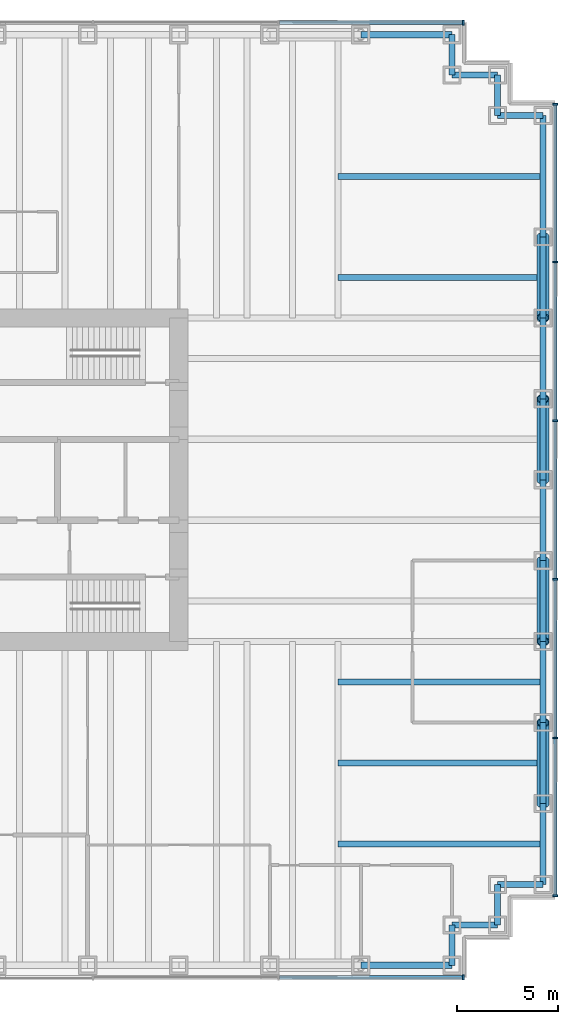
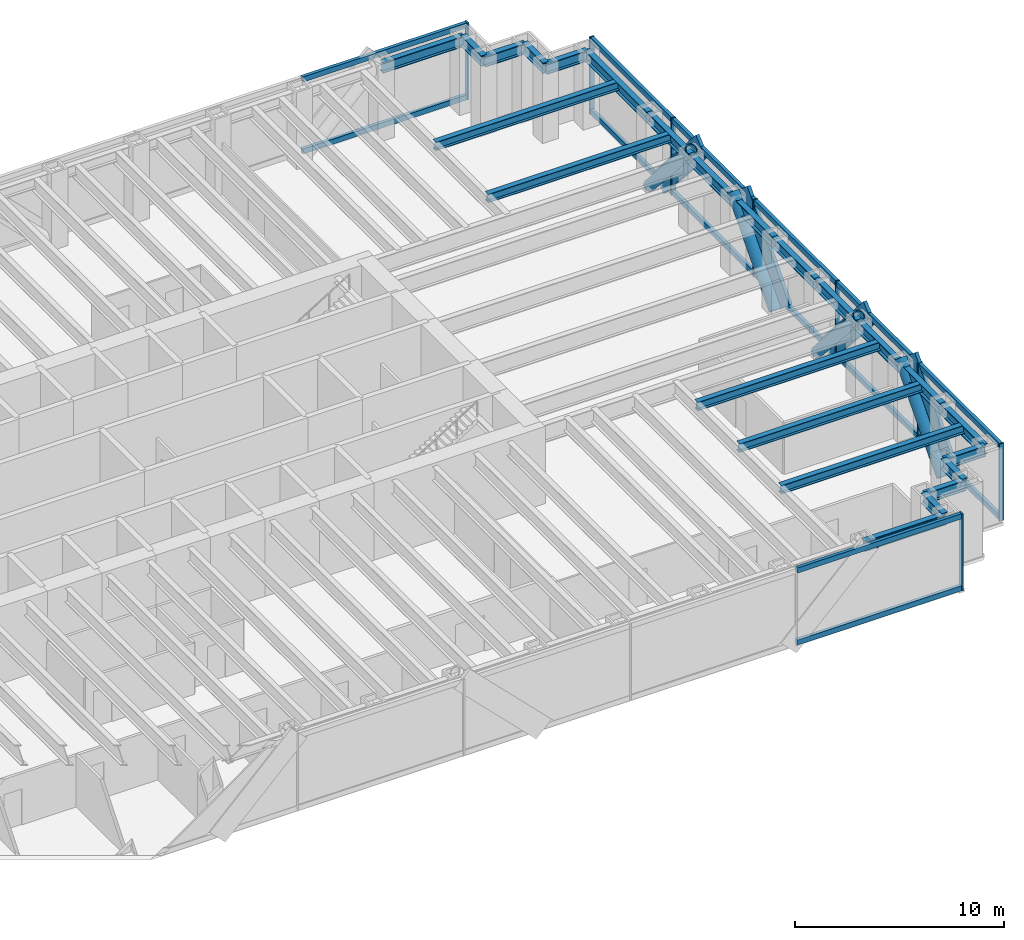
# One storey, part 7 of 13: 30 members, 24 beams, 3 elements without a shape of their own.
"""IFC4 building model written with IfcOpenShell, lengths in metres."""

import ifcopenshell
import ifcopenshell.guid

model = None  # the IFC model being written
_history = None  # IfcOwnerHistory: only IFC2X3 demands one
_inside = {}  # id of a spatial element -> (the spatial element, [elements in it])
_under = {}  # id of a project, library or spatial element -> (it, [spatial elements below it])
_declared = {}  # id of a project -> (the project, [libraries it declares])
_typed = {}  # id of a type object -> (the type object, [elements of that type])
_made_of = {}  # id of a material, layer set ... -> (it, [elements and type objects made of it])


def new_model(schema):
    """Start an empty IFC model of exactly this schema.

    Asked for "IFC4X3", IfcOpenShell would pick the latest addendum, in which some entities
    have other attributes; the version numbers below select the first issue.
    IFC2X3 requires an IfcOwnerHistory on every rooted entity: one is made here for all.
    """
    global model, _history
    if schema == "IFC4X3":
        model = ifcopenshell.file(schema_version=(4, 3, 0, 0))
    else:
        model = ifcopenshell.file(schema=schema)
    _inside.clear()
    _under.clear()
    _declared.clear()
    _typed.clear()
    _made_of.clear()
    _history = None
    if model.schema == "IFC2X3":
        org = make("IfcOrganization", Name="unknown")
        user = make(
            "IfcPersonAndOrganization",
            ThePerson=make("IfcPerson", FamilyName="unknown"),
            TheOrganization=org,
        )
        app = make(
            "IfcApplication",
            ApplicationDeveloper=org,
            Version="unknown",
            ApplicationFullName="unknown",
            ApplicationIdentifier="unknown",
        )
        _history = make(
            "IfcOwnerHistory",
            OwningUser=user,
            OwningApplication=app,
            ChangeAction="ADDED",
            CreationDate=0,
        )
    return model


def make(cls, **values):
    """One entity of the class cls with the attributes given. An attribute that is None is left unset."""
    return model.create_entity(
        cls, **{name: value for name, value in values.items() if value is not None}
    )


def rooted(cls, **values):
    """An entity with a GlobalId (a new one), such as an element, a storey or a relation."""
    return make(cls, GlobalId=ifcopenshell.guid.new(), OwnerHistory=_history, **values)


def si_unit(unit_type, name, prefix=None):
    """IfcSIUnit, for example si_unit("LENGTHUNIT", "METRE", prefix="MILLI")."""
    return make("IfcSIUnit", UnitType=unit_type, Prefix=prefix, Name=name)


def assignment(units):
    """IfcUnitAssignment: the units of a project."""
    return None if units is None else make("IfcUnitAssignment", Units=units)


def point(xyz):
    """IfcCartesianPoint."""
    return None if xyz is None else make("IfcCartesianPoint", Coordinates=xyz)


def direction(xyz):
    """IfcDirection."""
    return None if xyz is None else make("IfcDirection", DirectionRatios=xyz)


def frame(location, z_axis=None, x_axis=None):
    """IfcAxis2Placement3D, a coordinate frame: its origin and axes. An axis left out is left unset."""
    return make(
        "IfcAxis2Placement3D",
        Location=point(location),
        Axis=direction(z_axis),
        RefDirection=direction(x_axis),
    )


def frame_2d(location, x_axis=None):
    """IfcAxis2Placement2D, a coordinate frame in the plane: its origin and x axis."""
    return make(
        "IfcAxis2Placement2D", Location=point(location), RefDirection=direction(x_axis)
    )


def origin():
    """The frame at (0, 0, 0) with its axes left unset."""
    return frame((0.0, 0.0, 0.0))


def origin_2d():
    """The frame at (0, 0) in the plane with its x axis left unset."""
    return frame_2d((0.0, 0.0))


def place(relative_to, where):
    """IfcLocalPlacement: puts the frame where relative to a parent placement (None: the world)."""
    return make(
        "IfcLocalPlacement", PlacementRelTo=relative_to, RelativePlacement=where
    )


def context(
    kind, dimensions, precision=None, world=None, true_north=None, identifier=None
):
    """IfcGeometricRepresentationContext, for example the 3D "Model" context."""
    return make(
        "IfcGeometricRepresentationContext",
        ContextIdentifier=identifier,
        ContextType=kind,
        CoordinateSpaceDimension=dimensions,
        Precision=precision,
        WorldCoordinateSystem=world,
        TrueNorth=true_north,
    )


def subcontext(parent, identifier, kind, view, scale=None):
    """IfcGeometricRepresentationSubContext, for example "Body" below "Model"."""
    return make(
        "IfcGeometricRepresentationSubContext",
        ContextIdentifier=identifier,
        ContextType=kind,
        ParentContext=parent,
        TargetScale=scale,
        TargetView=view,
    )


def project(units=None, contexts=None):
    """IfcProject with its units and contexts."""
    return rooted(
        "IfcProject",
        Name="project",
        RepresentationContexts=contexts,
        UnitsInContext=assignment(units),
    )


def spatial(cls, under=None, at=None, **own):
    """A site, building, storey or space (cls), placed at a placement, below another one or the project."""
    s = rooted(cls, ObjectPlacement=at, **own)
    if under is not None:
        _under.setdefault(under.id(), (under, []))[1].append(s)
    return s


def profile(cls, at=None, kind="AREA", **sizes):
    """A parametric profile (cls). Its sizes go by their IFC names, for example OverallWidth=200.0."""
    return make(cls, ProfileType=kind, Position=at, **sizes)


def rectangle(**sizes):
    """IfcRectangleProfileDef."""
    return profile("IfcRectangleProfileDef", **sizes)


def hollow_circle(**sizes):
    """IfcCircleHollowProfileDef."""
    return profile("IfcCircleHollowProfileDef", **sizes)


def i_section(**sizes):
    """IfcIShapeProfileDef."""
    return profile("IfcIShapeProfileDef", **sizes)


def extrude(swept, where, along, depth):
    """IfcExtrudedAreaSolid: the profile swept, set in the frame where, extruded along a direction by depth."""
    return make(
        "IfcExtrudedAreaSolid",
        SweptArea=swept,
        Position=where,
        ExtrudedDirection=direction(along),
        Depth=depth,
    )


def shape(context_of_items, identifier, shape_type, items):
    """IfcShapeRepresentation: the items that make up one representation, for example the "Body"."""
    return make(
        "IfcShapeRepresentation",
        ContextOfItems=context_of_items,
        RepresentationIdentifier=identifier,
        RepresentationType=shape_type,
        Items=items,
    )


def material(Name=None, Category=None):
    """IfcMaterial."""
    return make("IfcMaterial", Name=Name, Category=Category)


def material_profile(
    of_material, cross_section, Name=None, Category=None, Priority=None
):
    """IfcMaterialProfile: a cross section and its material."""
    return make(
        "IfcMaterialProfile",
        Name=Name,
        Material=of_material,
        Profile=cross_section,
        Priority=Priority,
        Category=Category,
    )


def profile_set(profiles, Name=None, composite=None):
    """IfcMaterialProfileSet."""
    return make(
        "IfcMaterialProfileSet",
        Name=Name,
        MaterialProfiles=profiles,
        CompositeProfile=composite,
    )


def made_of(thing, what):
    """Note that an element or type object is made of a material, layer set ...; save() writes the relation."""
    if what is not None:
        _made_of.setdefault(what.id(), (what, []))[1].append(thing)
    return thing


def type_object(cls, material=None, **own):
    """A type object (cls), such as IfcWallType, which elements share."""
    return made_of(rooted(cls, **own), material)


def element(
    cls,
    number,
    at=None,
    inside=None,
    cuts=None,
    type_object=None,
    material=None,
    context=None,
    identifier="Body",
    shape_type=None,
    held_by="IfcProductDefinitionShape",
    body=None,
    shapes=None,
    **own,
):
    """One element of the class cls, such as IfcWall. Its Tag is "e" and its number.

    at: its placement. inside: the storey or other place that contains it. cuts: it is an
    opening in that element (IfcRelVoidsElement). A single representation is given by context,
    identifier, shape_type and body (its items); several are given by shapes. held_by: the class
    of the entity that holds the representations. save() writes the other relations.
    """
    e = rooted(cls, Tag="e%d" % number, ObjectPlacement=at, **own)
    if body is not None:
        shapes = [shape(context, identifier, shape_type, body)]
    if shapes is not None:
        e.Representation = make(held_by, Representations=shapes)
    if inside is not None:
        _inside.setdefault(inside.id(), (inside, []))[1].append(e)
    if cuts is not None:
        rooted(
            "IfcRelVoidsElement", RelatingBuildingElement=cuts, RelatedOpeningElement=e
        )
    if type_object is not None:
        _typed.setdefault(type_object.id(), (type_object, []))[1].append(e)
    return made_of(e, material)


def aggregate(whole, parts):
    """IfcRelAggregates: a whole, such as a stair, and the parts it consists of."""
    return rooted("IfcRelAggregates", RelatingObject=whole, RelatedObjects=parts)


def save(model, path):
    """Write the relations noted so far, then the file.

    IfcRelAggregates (storeys below a building ...), IfcRelContainedInSpatialStructure (elements
    in a storey), IfcRelDefinesByType, IfcRelAssociatesMaterial and IfcRelDeclares: one each for
    every whole, place, type object, material and project.
    """
    for whole, parts in _under.values():
        aggregate(whole, parts)
    for where, things in _inside.values():
        rooted(
            "IfcRelContainedInSpatialStructure",
            RelatedElements=things,
            RelatingStructure=where,
        )
    for kind, things in _typed.values():
        rooted("IfcRelDefinesByType", RelatedObjects=things, RelatingType=kind)
    for what, things in _made_of.values():
        rooted("IfcRelAssociatesMaterial", RelatedObjects=things, RelatingMaterial=what)
    for by, libraries in _declared.values():
        rooted("IfcRelDeclares", RelatingContext=by, RelatedDefinitions=libraries)
    model.write(path)


model = new_model("IFC4")

# Units and contexts
model_context = context("Model", 3, precision=1e-05, world=origin(), true_north=direction((0.0, 1.0)))
body_context = subcontext(model_context, "Body", "Model", "MODEL_VIEW")
ifc_project = project(units=[si_unit("LENGTHUNIT", "METRE"), si_unit("AREAUNIT", "SQUARE_METRE"), si_unit("VOLUMEUNIT", "CUBIC_METRE"), si_unit("PLANEANGLEUNIT", "RADIAN"), si_unit("MASSUNIT", "GRAM", prefix="KILO")], contexts=[model_context])

# Site, building, storey
site_placement = place(None, origin())
site = spatial("IfcSite", under=ifc_project, at=site_placement, CompositionType="ELEMENT")
building_placement = place(site_placement, origin())
building = spatial("IfcBuilding", under=site, at=building_placement, Name="Rheinbord Bourse Tower", CompositionType="ELEMENT")
storey_placement = place(building_placement, frame((0.0, 0.0, 86.0)))
storey = spatial("IfcBuildingStorey", under=building, at=storey_placement, Name="L18", CompositionType="ELEMENT", Elevation=86.0)

# Curtain wall, members
ifc_material_1 = material(Name="Dark glass and black aluminium", Category="aluminium")
curtain_wall_type = type_object("IfcCurtainWallType", Name="CW1 DARK GLASS CURTAIN WALL", PredefinedType="USERDEFINED", material=ifc_material_1)
curtain_wall_1_placement = place(storey_placement, origin())
curtain_wall_1 = element("IfcCurtainWall", 1, at=curtain_wall_1_placement, inside=storey, type_object=curtain_wall_type, Name="Curtain wall CW1 E L18", ObjectType="UNITISED CURTAIN WALL", PredefinedType="USERDEFINED")
ifc_material_2 = material(Name="Black anodised aluminium", Category="aluminium")
ifc_material_profile_1 = material_profile(ifc_material_2, rectangle(XDim=0.179931640625, YDim=1.2099609375, at=origin_2d()), Name="CW1 DIAGONAL MULLION 1210x180")
ifc_profile_set_1 = profile_set([ifc_material_profile_1], Name="Black anodised aluminium")
member_type_1 = type_object("IfcMemberType", Name="CW1 BLACK DIAGONAL MULLION", PredefinedType="USERDEFINED", material=ifc_profile_set_1)
member_1_placement = place(storey_placement, frame((72.60009765625, 8.0, 0.0), z_axis=(0.0, 0.66436383883, 0.747409318684), x_axis=(-1.0, 0.0, 0.0)))
member_1 = element("IfcMember", 2, at=member_1_placement, type_object=member_type_1, Name="CW1 diagonal mullion a", ObjectType="DIAGONAL MULLION", PredefinedType="USERDEFINED", context=body_context, shape_type="SweptSolid", body=[
    extrude(rectangle(XDim=0.179931640625, YDim=1.2099609375, at=origin_2d()), origin(), (0.0, 0.0, 1.0), 6.020751953125),
])
member_2_placement = place(storey_placement, frame((72.60009765625, 36.0, 0.0), z_axis=(0.0, -0.66436383883, 0.747409318684), x_axis=(1.0, 0.0, 0.0)))
member_2 = element("IfcMember", 3, at=member_2_placement, type_object=member_type_1, Name="CW1 diagonal mullion b", ObjectType="DIAGONAL MULLION", PredefinedType="USERDEFINED", context=body_context, shape_type="SweptSolid", body=[
    extrude(rectangle(XDim=0.179931640625, YDim=1.2099609375, at=origin_2d()), origin(), (0.0, 0.0, 1.0), 6.020751953125),
])
member_3_placement = place(storey_placement, frame((72.60009765625, 24.0, 0.0), z_axis=(0.0, 0.66436383883, 0.747409318684), x_axis=(-1.0, 0.0, 0.0)))
member_3 = element("IfcMember", 4, at=member_3_placement, type_object=member_type_1, Name="CW1 diagonal mullion c", ObjectType="DIAGONAL MULLION", PredefinedType="USERDEFINED", context=body_context, shape_type="SweptSolid", body=[
    extrude(rectangle(XDim=0.179931640625, YDim=1.2099609375, at=origin_2d()), origin(), (0.0, 0.0, 1.0), 6.020751953125),
])
member_4_placement = place(storey_placement, frame((72.60009765625, 20.0, 0.0), z_axis=(0.0, -0.66436383883, 0.747409318684), x_axis=(1.0, 0.0, 0.0)))
member_4 = element("IfcMember", 5, at=member_4_placement, type_object=member_type_1, Name="CW1 diagonal mullion d", ObjectType="DIAGONAL MULLION", PredefinedType="USERDEFINED", context=body_context, shape_type="SweptSolid", body=[
    extrude(rectangle(XDim=0.179931640625, YDim=1.2099609375, at=origin_2d()), origin(), (0.0, 0.0, 1.0), 6.020751953125),
])

# Curtain wall, member
curtain_wall_2_placement = place(storey_placement, origin())
curtain_wall_2 = element("IfcCurtainWall", 6, at=curtain_wall_2_placement, inside=storey, type_object=curtain_wall_type, Name="Curtain wall CW1 S L18", ObjectType="UNITISED CURTAIN WALL", PredefinedType="USERDEFINED")
ifc_material_3 = material(Name="Black anodised aluminium", Category="aluminium")
ifc_material_profile_2 = material_profile(ifc_material_3, rectangle(XDim=0.25, YDim=0.080078125, at=origin_2d()), Name="CW1 MULLION 80x250")
ifc_profile_set_2 = profile_set([ifc_material_profile_2], Name="Black anodised aluminium")
member_type_2 = type_object("IfcMemberType", Name="CW1 BLACK MULLION", PredefinedType="MULLION", material=ifc_profile_set_2)
member_5_placement = place(storey_placement, frame((68.06005859375, -0.60009765625, 0.0), z_axis=(0.0, 0.0, 1.0), x_axis=(0.0, 1.0, 0.0)))
member_5 = element("IfcMember", 7, at=member_5_placement, type_object=member_type_2, Name="CW1 mullion 8", PredefinedType="MULLION", context=body_context, shape_type="SweptSolid", body=[
    extrude(rectangle(XDim=0.25, YDim=0.080078125, at=origin_2d()), origin(), (0.0, 0.0, 1.0), 4.5),
])

# Member
member_6_placement = place(storey_placement, frame((72.60009765625, 3.43994140625, 0.0), z_axis=(0.0, 0.0, 1.0), x_axis=(-1.0, 0.0, 0.0)))
member_6 = element("IfcMember", 8, at=member_6_placement, type_object=member_type_2, Name="CW1 mullion 1", PredefinedType="MULLION", context=body_context, shape_type="SweptSolid", body=[
    extrude(rectangle(XDim=0.25, YDim=0.080078125, at=origin_2d()), origin(), (0.0, 0.0, 1.0), 4.5),
])

member_7_placement = place(storey_placement, frame((72.60009765625, 11.239990234375, 0.0), z_axis=(0.0, 0.0, 1.0), x_axis=(-1.0, 0.0, 0.0)))
member_7 = element("IfcMember", 9, at=member_7_placement, type_object=member_type_2, Name="CW1 mullion 2", PredefinedType="MULLION", context=body_context, shape_type="SweptSolid", body=[
    extrude(rectangle(XDim=0.25, YDim=0.080078125, at=origin_2d()), origin(), (0.0, 0.0, 1.0), 4.5),
])

member_8_placement = place(storey_placement, frame((72.60009765625, 19.080078125, 0.0), z_axis=(0.0, 0.0, 1.0), x_axis=(-1.0, 0.0, 0.0)))
member_8 = element("IfcMember", 10, at=member_8_placement, type_object=member_type_2, Name="CW1 mullion 3", PredefinedType="MULLION", context=body_context, shape_type="SweptSolid", body=[
    extrude(rectangle(XDim=0.25, YDim=0.080078125, at=origin_2d()), origin(), (0.0, 0.0, 1.0), 4.5),
])

member_9_placement = place(storey_placement, frame((72.60009765625, 26.919921875, 0.0), z_axis=(0.0, 0.0, 1.0), x_axis=(-1.0, 0.0, 0.0)))
member_9 = element("IfcMember", 11, at=member_9_placement, type_object=member_type_2, Name="CW1 mullion 4", PredefinedType="MULLION", context=body_context, shape_type="SweptSolid", body=[
    extrude(rectangle(XDim=0.25, YDim=0.080078125, at=origin_2d()), origin(), (0.0, 0.0, 1.0), 4.5),
])

member_10_placement = place(storey_placement, frame((72.60009765625, 34.760009765625, 0.0), z_axis=(0.0, 0.0, 1.0), x_axis=(-1.0, 0.0, 0.0)))
member_10 = element("IfcMember", 12, at=member_10_placement, type_object=member_type_2, Name="CW1 mullion 5", PredefinedType="MULLION", context=body_context, shape_type="SweptSolid", body=[
    extrude(rectangle(XDim=0.25, YDim=0.080078125, at=origin_2d()), origin(), (0.0, 0.0, 1.0), 4.5),
])

member_11_placement = place(storey_placement, frame((72.60009765625, 42.56005859375, 0.0), z_axis=(0.0, 0.0, 1.0), x_axis=(-1.0, 0.0, 0.0)))
member_11 = element("IfcMember", 13, at=member_11_placement, type_object=member_type_2, Name="CW1 mullion 6", PredefinedType="MULLION", context=body_context, shape_type="SweptSolid", body=[
    extrude(rectangle(XDim=0.25, YDim=0.080078125, at=origin_2d()), origin(), (0.0, 0.0, 1.0), 4.5),
])

# Curtain wall, member
curtain_wall_3_placement = place(storey_placement, origin())
curtain_wall_3 = element("IfcCurtainWall", 14, at=curtain_wall_3_placement, inside=storey, type_object=curtain_wall_type, Name="Curtain wall CW1 N L18", ObjectType="UNITISED CURTAIN WALL", PredefinedType="USERDEFINED")
member_12_placement = place(storey_placement, frame((68.06005859375, 46.60009765625, 0.0), z_axis=(0.0, 0.0, 1.0), x_axis=(0.0, -1.0, 0.0)))
member_12 = element("IfcMember", 15, at=member_12_placement, type_object=member_type_2, Name="CW1 mullion 1", PredefinedType="MULLION", context=body_context, shape_type="SweptSolid", body=[
    extrude(rectangle(XDim=0.25, YDim=0.080078125, at=origin_2d()), origin(), (0.0, 0.0, 1.0), 4.5),
])

# Member
ifc_material_4 = material(Name="Black anodised aluminium", Category="aluminium")
ifc_material_profile_3 = material_profile(ifc_material_4, rectangle(XDim=0.179931640625, YDim=0.300048828125, at=origin_2d()), Name="CW1 TRANSOM 300x180")
ifc_profile_set_3 = profile_set([ifc_material_profile_3], Name="Black anodised aluminium")
member_type_3 = type_object("IfcMemberType", Name="CW1 BLACK TRANSOM", PredefinedType="USERDEFINED", material=ifc_profile_set_3)
member_13_placement = place(storey_placement, frame((58.968505859375, -0.60009765625, 0.14990234375), z_axis=(1.0, 0.0, 0.0), x_axis=(0.0, 1.0, 0.0)))
member_13 = element("IfcMember", 16, at=member_13_placement, type_object=member_type_3, Name="CW1 transom 7.1", ObjectType="TRANSOM", PredefinedType="USERDEFINED", context=body_context, shape_type="SweptSolid", body=[
    extrude(rectangle(XDim=0.179931640625, YDim=0.300048828125, at=origin_2d()), origin(), (0.0, 0.0, 1.0), 9.051513671875),
])

member_14_placement = place(storey_placement, frame((58.968505859375, -0.60009765625, 4.35009765625), z_axis=(1.0, 0.0, 0.0), x_axis=(0.0, 1.0, 0.0)))
member_14 = element("IfcMember", 17, at=member_14_placement, type_object=member_type_3, Name="CW1 transom 7.2", ObjectType="TRANSOM", PredefinedType="USERDEFINED", context=body_context, shape_type="SweptSolid", body=[
    extrude(rectangle(XDim=0.179931640625, YDim=0.300048828125, at=origin_2d()), origin(), (0.0, 0.0, 1.0), 9.051513671875),
])

aggregate(curtain_wall_2, [member_5, member_13, member_14])

member_15_placement = place(storey_placement, frame((72.60009765625, 3.47998046875, 0.14990234375), z_axis=(0.0, 1.0, 0.0), x_axis=(-1.0, 0.0, 0.0)))
member_15 = element("IfcMember", 18, at=member_15_placement, type_object=member_type_3, Name="CW1 transom 1.1", ObjectType="TRANSOM", PredefinedType="USERDEFINED", context=body_context, shape_type="SweptSolid", body=[
    extrude(rectangle(XDim=0.179931640625, YDim=0.300048828125, at=origin_2d()), origin(), (0.0, 0.0, 1.0), 7.719970703125),
])

member_16_placement = place(storey_placement, frame((72.60009765625, 3.47998046875, 4.35009765625), z_axis=(0.0, 1.0, 0.0), x_axis=(-1.0, 0.0, 0.0)))
member_16 = element("IfcMember", 19, at=member_16_placement, type_object=member_type_3, Name="CW1 transom 1.2", ObjectType="TRANSOM", PredefinedType="USERDEFINED", context=body_context, shape_type="SweptSolid", body=[
    extrude(rectangle(XDim=0.179931640625, YDim=0.300048828125, at=origin_2d()), origin(), (0.0, 0.0, 1.0), 7.719970703125),
])

member_17_placement = place(storey_placement, frame((72.60009765625, 11.280029296875, 0.14990234375), z_axis=(0.0, 1.0, 0.0), x_axis=(-1.0, 0.0, 0.0)))
member_17 = element("IfcMember", 20, at=member_17_placement, type_object=member_type_3, Name="CW1 transom 2.1", ObjectType="TRANSOM", PredefinedType="USERDEFINED", context=body_context, shape_type="SweptSolid", body=[
    extrude(rectangle(XDim=0.179931640625, YDim=0.300048828125, at=origin_2d()), origin(), (0.0, 0.0, 1.0), 7.760009765625),
])

member_18_placement = place(storey_placement, frame((72.60009765625, 11.280029296875, 4.35009765625), z_axis=(0.0, 1.0, 0.0), x_axis=(-1.0, 0.0, 0.0)))
member_18 = element("IfcMember", 21, at=member_18_placement, type_object=member_type_3, Name="CW1 transom 2.2", ObjectType="TRANSOM", PredefinedType="USERDEFINED", context=body_context, shape_type="SweptSolid", body=[
    extrude(rectangle(XDim=0.179931640625, YDim=0.300048828125, at=origin_2d()), origin(), (0.0, 0.0, 1.0), 7.760009765625),
])

member_19_placement = place(storey_placement, frame((72.60009765625, 19.1201171875, 0.14990234375), z_axis=(0.0, 1.0, 0.0), x_axis=(-1.0, 0.0, 0.0)))
member_19 = element("IfcMember", 22, at=member_19_placement, type_object=member_type_3, Name="CW1 transom 3.1", ObjectType="TRANSOM", PredefinedType="USERDEFINED", context=body_context, shape_type="SweptSolid", body=[
    extrude(rectangle(XDim=0.179931640625, YDim=0.300048828125, at=origin_2d()), origin(), (0.0, 0.0, 1.0), 7.759765625),
])

member_20_placement = place(storey_placement, frame((72.60009765625, 19.1201171875, 4.35009765625), z_axis=(0.0, 1.0, 0.0), x_axis=(-1.0, 0.0, 0.0)))
member_20 = element("IfcMember", 23, at=member_20_placement, type_object=member_type_3, Name="CW1 transom 3.2", ObjectType="TRANSOM", PredefinedType="USERDEFINED", context=body_context, shape_type="SweptSolid", body=[
    extrude(rectangle(XDim=0.179931640625, YDim=0.300048828125, at=origin_2d()), origin(), (0.0, 0.0, 1.0), 7.759765625),
])

member_21_placement = place(storey_placement, frame((72.60009765625, 26.9599609375, 0.14990234375), z_axis=(0.0, 1.0, 0.0), x_axis=(-1.0, 0.0, 0.0)))
member_21 = element("IfcMember", 24, at=member_21_placement, type_object=member_type_3, Name="CW1 transom 4.1", ObjectType="TRANSOM", PredefinedType="USERDEFINED", context=body_context, shape_type="SweptSolid", body=[
    extrude(rectangle(XDim=0.179931640625, YDim=0.300048828125, at=origin_2d()), origin(), (0.0, 0.0, 1.0), 7.760009765625),
])

member_22_placement = place(storey_placement, frame((72.60009765625, 26.9599609375, 4.35009765625), z_axis=(0.0, 1.0, 0.0), x_axis=(-1.0, 0.0, 0.0)))
member_22 = element("IfcMember", 25, at=member_22_placement, type_object=member_type_3, Name="CW1 transom 4.2", ObjectType="TRANSOM", PredefinedType="USERDEFINED", context=body_context, shape_type="SweptSolid", body=[
    extrude(rectangle(XDim=0.179931640625, YDim=0.300048828125, at=origin_2d()), origin(), (0.0, 0.0, 1.0), 7.760009765625),
])

member_23_placement = place(storey_placement, frame((72.60009765625, 34.800048828125, 0.14990234375), z_axis=(0.0, 1.0, 0.0), x_axis=(-1.0, 0.0, 0.0)))
member_23 = element("IfcMember", 26, at=member_23_placement, type_object=member_type_3, Name="CW1 transom 5.1", ObjectType="TRANSOM", PredefinedType="USERDEFINED", context=body_context, shape_type="SweptSolid", body=[
    extrude(rectangle(XDim=0.179931640625, YDim=0.300048828125, at=origin_2d()), origin(), (0.0, 0.0, 1.0), 7.719970703125),
])

member_24_placement = place(storey_placement, frame((72.60009765625, 34.800048828125, 4.35009765625), z_axis=(0.0, 1.0, 0.0), x_axis=(-1.0, 0.0, 0.0)))
member_24 = element("IfcMember", 27, at=member_24_placement, type_object=member_type_3, Name="CW1 transom 5.2", ObjectType="TRANSOM", PredefinedType="USERDEFINED", context=body_context, shape_type="SweptSolid", body=[
    extrude(rectangle(XDim=0.179931640625, YDim=0.300048828125, at=origin_2d()), origin(), (0.0, 0.0, 1.0), 7.719970703125),
])

aggregate(curtain_wall_1, [member_6, member_7, member_8, member_9, member_10, member_11, member_15, member_16, member_17, member_18, member_19, member_20, member_21, member_22, member_23, member_24, member_1, member_2, member_3, member_4])

member_25_placement = place(storey_placement, frame((68.02001953125, 46.60009765625, 0.14990234375), z_axis=(-1.0, 0.0, 0.0), x_axis=(0.0, -1.0, 0.0)))
member_25 = element("IfcMember", 28, at=member_25_placement, type_object=member_type_3, Name="CW1 transom 1.1", ObjectType="TRANSOM", PredefinedType="USERDEFINED", context=body_context, shape_type="SweptSolid", body=[
    extrude(rectangle(XDim=0.179931640625, YDim=0.300048828125, at=origin_2d()), origin(), (0.0, 0.0, 1.0), 9.051513671875),
])

member_26_placement = place(storey_placement, frame((68.02001953125, 46.60009765625, 4.35009765625), z_axis=(-1.0, 0.0, 0.0), x_axis=(0.0, -1.0, 0.0)))
member_26 = element("IfcMember", 29, at=member_26_placement, type_object=member_type_3, Name="CW1 transom 1.2", ObjectType="TRANSOM", PredefinedType="USERDEFINED", context=body_context, shape_type="SweptSolid", body=[
    extrude(rectangle(XDim=0.179931640625, YDim=0.300048828125, at=origin_2d()), origin(), (0.0, 0.0, 1.0), 9.051513671875),
])

aggregate(curtain_wall_3, [member_12, member_25, member_26])

# Members
ifc_material_5 = material(Name="Steel S460", Category="steel")
ifc_material_profile_4 = material_profile(ifc_material_5, hollow_circle(Radius=0.304931640625, WallThickness=0.050048828125, at=origin_2d()), Name="CHS 610x50")
ifc_profile_set_4 = profile_set([ifc_material_profile_4], Name="Steel S460")
member_type_4 = type_object("IfcMemberType", Name="MEGABRACE CHS 610x50", PredefinedType="BRACE", material=ifc_profile_set_4)
for number, where, z_axis, x_axis, name in (
    (30, (72.0, 8.0, 0.0), (0.0, 0.66436383883, 0.747409318684), (-1.0, 0.0, 0.0), "Megabrace E face line a L18"),
    (31, (72.0, 36.0, 0.0), (0.0, -0.66436383883, 0.747409318684), (1.0, 0.0, 0.0), "Megabrace E face line b L18"),
    (32, (72.0, 24.0, 0.0), (0.0, 0.66436383883, 0.747409318684), (-1.0, 0.0, 0.0), "Megabrace E face line c L18"),
    (33, (72.0, 20.0, 0.0), (0.0, -0.66436383883, 0.747409318684), (1.0, 0.0, 0.0), "Megabrace E face line d L18"),
):
    element("IfcMember", number, at=place(storey_placement, frame(where, z_axis=z_axis, x_axis=x_axis)), inside=storey, type_object=member_type_4, Name=name, PredefinedType="BRACE", context=body_context, shape_type="SweptSolid", body=[
        extrude(hollow_circle(Radius=0.304931640625, WallThickness=0.050048828125, at=origin_2d()), origin(), (0.0, 0.0, 1.0), 6.020751953125),
    ])

# Beams
ifc_material_6 = material(Name="Steel S460", Category="steel")
ifc_material_profile_5 = material_profile(ifc_material_6, i_section(OverallWidth=0.304931640625, OverallDepth=0.6201171875, WebThickness=0.02099609375, FlangeThickness=0.0400390625, at=origin_2d()), Name="HEM 600")
ifc_profile_set_5 = profile_set([ifc_material_profile_5], Name="Steel S460")
beam_type_1 = type_object("IfcBeamType", Name="SPANDREL HEM 600", PredefinedType="SPANDREL", material=ifc_profile_set_5)
beam_1_placement = place(storey_placement, frame((63.0, 0.0, 4.010009765625), z_axis=(1.0, 0.0, 0.0), x_axis=(0.0, 1.0, 0.0)))
element("IfcBeam", 34, at=beam_1_placement, inside=storey, type_object=beam_type_1, Name="Spandrel S-63-SE-E under L19", PredefinedType="SPANDREL", context=body_context, shape_type="SweptSolid", body=[
    extrude(i_section(OverallWidth=0.304931640625, OverallDepth=0.6201171875, WebThickness=0.02099609375, FlangeThickness=0.0400390625, at=origin_2d()), origin(), (0.0, 0.0, 1.0), 4.5),
])
beam_2_placement = place(storey_placement, frame((67.5, 0.0, 4.010009765625), z_axis=(0.0, 1.0, 0.0), x_axis=(-1.0, 0.0, 0.0)))
element("IfcBeam", 35, at=beam_2_placement, inside=storey, type_object=beam_type_1, Name="Spandrel SE-E-SE-D under L19", PredefinedType="SPANDREL", context=body_context, shape_type="SweptSolid", body=[
    extrude(i_section(OverallWidth=0.304931640625, OverallDepth=0.6201171875, WebThickness=0.02099609375, FlangeThickness=0.0400390625, at=origin_2d()), origin(), (0.0, 0.0, 1.0), 2.0),
])
beam_3_placement = place(storey_placement, frame((67.5, 2.0, 4.010009765625), z_axis=(1.0, 0.0, 0.0), x_axis=(0.0, 1.0, 0.0)))
element("IfcBeam", 36, at=beam_3_placement, inside=storey, type_object=beam_type_1, Name="Spandrel SE-D-SE-C under L19", PredefinedType="SPANDREL", context=body_context, shape_type="SweptSolid", body=[
    extrude(i_section(OverallWidth=0.304931640625, OverallDepth=0.6201171875, WebThickness=0.02099609375, FlangeThickness=0.0400390625, at=origin_2d()), origin(), (0.0, 0.0, 1.0), 2.25),
])
beam_4_placement = place(storey_placement, frame((69.75, 2.0, 4.010009765625), z_axis=(0.0, 1.0, 0.0), x_axis=(-1.0, 0.0, 0.0)))
element("IfcBeam", 37, at=beam_4_placement, inside=storey, type_object=beam_type_1, Name="Spandrel SE-C-SE-B under L19", PredefinedType="SPANDREL", context=body_context, shape_type="SweptSolid", body=[
    extrude(i_section(OverallWidth=0.304931640625, OverallDepth=0.6201171875, WebThickness=0.02099609375, FlangeThickness=0.0400390625, at=origin_2d()), origin(), (0.0, 0.0, 1.0), 2.0),
])
beam_5_placement = place(storey_placement, frame((69.75, 4.0, 4.010009765625), z_axis=(1.0, 0.0, 0.0), x_axis=(0.0, 1.0, 0.0)))
element("IfcBeam", 38, at=beam_5_placement, inside=storey, type_object=beam_type_1, Name="Spandrel SE-B-SE-A under L19", PredefinedType="SPANDREL", context=body_context, shape_type="SweptSolid", body=[
    extrude(i_section(OverallWidth=0.304931640625, OverallDepth=0.6201171875, WebThickness=0.02099609375, FlangeThickness=0.0400390625, at=origin_2d()), origin(), (0.0, 0.0, 1.0), 2.25),
])
for number, where, z_axis, x_axis, name in (
    (39, (72.0, 4.0, 4.010009765625), (0.0, 1.0, 0.0), (-1.0, 0.0, 0.0), "Spandrel SE-A-E-8 under L19"),
    (40, (72.0, 8.0, 4.010009765625), (0.0, 1.0, 0.0), (-1.0, 0.0, 0.0), "Spandrel E-8-E-12 under L19"),
    (41, (72.0, 12.0, 4.010009765625), (0.0, 1.0, 0.0), (-1.0, 0.0, 0.0), "Spandrel E-12-E-16 under L19"),
    (42, (72.0, 16.0, 4.010009765625), (0.0, 1.0, 0.0), (-1.0, 0.0, 0.0), "Spandrel E-16-E-20 under L19"),
    (43, (72.0, 20.0, 4.010009765625), (0.0, 1.0, 0.0), (-1.0, 0.0, 0.0), "Spandrel E-20-E-24 under L19"),
    (44, (72.0, 24.0, 4.010009765625), (0.0, 1.0, 0.0), (-1.0, 0.0, 0.0), "Spandrel E-24-E-28 under L19"),
    (45, (72.0, 28.0, 4.010009765625), (0.0, 1.0, 0.0), (-1.0, 0.0, 0.0), "Spandrel E-28-E-32 under L19"),
    (46, (72.0, 32.0, 4.010009765625), (0.0, 1.0, 0.0), (-1.0, 0.0, 0.0), "Spandrel E-32-E-36 under L19"),
):
    element("IfcBeam", number, at=place(storey_placement, frame(where, z_axis=z_axis, x_axis=x_axis)), inside=storey, type_object=beam_type_1, Name=name, PredefinedType="SPANDREL", context=body_context, shape_type="SweptSolid", body=[
        extrude(i_section(OverallWidth=0.304931640625, OverallDepth=0.6201171875, WebThickness=0.02099609375, FlangeThickness=0.0400390625, at=origin_2d()), origin(), (0.0, 0.0, 1.0), 4.0),
    ])
beam_6_placement = place(storey_placement, frame((72.0, 36.0, 4.010009765625), z_axis=(0.0, 1.0, 0.0), x_axis=(-1.0, 0.0, 0.0)))
element("IfcBeam", 47, at=beam_6_placement, inside=storey, type_object=beam_type_1, Name="Spandrel E-36-NE-A under L19", PredefinedType="SPANDREL", context=body_context, shape_type="SweptSolid", body=[
    extrude(i_section(OverallWidth=0.304931640625, OverallDepth=0.6201171875, WebThickness=0.02099609375, FlangeThickness=0.0400390625, at=origin_2d()), origin(), (0.0, 0.0, 1.0), 6.0),
])
beam_7_placement = place(storey_placement, frame((72.0, 42.0, 4.010009765625), z_axis=(-1.0, 0.0, 0.0), x_axis=(0.0, -1.0, 0.0)))
element("IfcBeam", 48, at=beam_7_placement, inside=storey, type_object=beam_type_1, Name="Spandrel NE-A-NE-B under L19", PredefinedType="SPANDREL", context=body_context, shape_type="SweptSolid", body=[
    extrude(i_section(OverallWidth=0.304931640625, OverallDepth=0.6201171875, WebThickness=0.02099609375, FlangeThickness=0.0400390625, at=origin_2d()), origin(), (0.0, 0.0, 1.0), 2.25),
])
beam_8_placement = place(storey_placement, frame((69.75, 42.0, 4.010009765625), z_axis=(0.0, 1.0, 0.0), x_axis=(-1.0, 0.0, 0.0)))
element("IfcBeam", 49, at=beam_8_placement, inside=storey, type_object=beam_type_1, Name="Spandrel NE-B-NE-C under L19", PredefinedType="SPANDREL", context=body_context, shape_type="SweptSolid", body=[
    extrude(i_section(OverallWidth=0.304931640625, OverallDepth=0.6201171875, WebThickness=0.02099609375, FlangeThickness=0.0400390625, at=origin_2d()), origin(), (0.0, 0.0, 1.0), 2.0),
])
beam_9_placement = place(storey_placement, frame((69.75, 44.0, 4.010009765625), z_axis=(-1.0, 0.0, 0.0), x_axis=(0.0, -1.0, 0.0)))
element("IfcBeam", 50, at=beam_9_placement, inside=storey, type_object=beam_type_1, Name="Spandrel NE-C-NE-D under L19", PredefinedType="SPANDREL", context=body_context, shape_type="SweptSolid", body=[
    extrude(i_section(OverallWidth=0.304931640625, OverallDepth=0.6201171875, WebThickness=0.02099609375, FlangeThickness=0.0400390625, at=origin_2d()), origin(), (0.0, 0.0, 1.0), 2.25),
])
beam_10_placement = place(storey_placement, frame((67.5, 44.0, 4.010009765625), z_axis=(0.0, 1.0, 0.0), x_axis=(-1.0, 0.0, 0.0)))
element("IfcBeam", 51, at=beam_10_placement, inside=storey, type_object=beam_type_1, Name="Spandrel NE-D-NE-E under L19", PredefinedType="SPANDREL", context=body_context, shape_type="SweptSolid", body=[
    extrude(i_section(OverallWidth=0.304931640625, OverallDepth=0.6201171875, WebThickness=0.02099609375, FlangeThickness=0.0400390625, at=origin_2d()), origin(), (0.0, 0.0, 1.0), 2.0),
])
beam_11_placement = place(storey_placement, frame((67.5, 46.0, 4.010009765625), z_axis=(-1.0, 0.0, 0.0), x_axis=(0.0, -1.0, 0.0)))
element("IfcBeam", 52, at=beam_11_placement, inside=storey, type_object=beam_type_1, Name="Spandrel NE-E-N-63 under L19", PredefinedType="SPANDREL", context=body_context, shape_type="SweptSolid", body=[
    extrude(i_section(OverallWidth=0.304931640625, OverallDepth=0.6201171875, WebThickness=0.02099609375, FlangeThickness=0.0400390625, at=origin_2d()), origin(), (0.0, 0.0, 1.0), 4.5),
])
ifc_material_7 = material(Name="Steel S460", Category="steel")
ifc_material_profile_6 = material_profile(ifc_material_7, i_section(OverallWidth=0.300048828125, OverallDepth=0.5, WebThickness=0.014404296875, FlangeThickness=0.028076171875, at=origin_2d()), Name="HEB 500")
ifc_profile_set_6 = profile_set([ifc_material_profile_6], Name="Steel S460")
beam_type_2 = type_object("IfcBeamType", Name="TIE BEAM HEB 500", PredefinedType="JOIST", material=ifc_profile_set_6)
for number, where, z_axis, x_axis, name in (
    (53, (61.875, 6.0, 4.070068359375), (1.0, 0.0, 0.0), (0.0, 1.0, 0.0), "Tie east 6 L19"),
    (54, (61.875, 10.0, 4.070068359375), (1.0, 0.0, 0.0), (0.0, 1.0, 0.0), "Tie east 10 L19"),
    (55, (61.875, 14.0, 4.070068359375), (1.0, 0.0, 0.0), (0.0, 1.0, 0.0), "Tie east 14 L19"),
    (56, (61.875, 34.0, 4.070068359375), (1.0, 0.0, 0.0), (0.0, 1.0, 0.0), "Tie east 34 L19"),
    (57, (61.875, 39.0, 4.070068359375), (1.0, 0.0, 0.0), (0.0, 1.0, 0.0), "Tie east 39 L19"),
):
    element("IfcBeam", number, at=place(storey_placement, frame(where, z_axis=z_axis, x_axis=x_axis)), inside=storey, type_object=beam_type_2, Name=name, PredefinedType="JOIST", context=body_context, shape_type="SweptSolid", body=[
        extrude(i_section(OverallWidth=0.300048828125, OverallDepth=0.5, WebThickness=0.014404296875, FlangeThickness=0.028076171875, at=origin_2d()), origin(), (0.0, 0.0, 1.0), 10.125),
    ])

save(model, "model.ifc")
